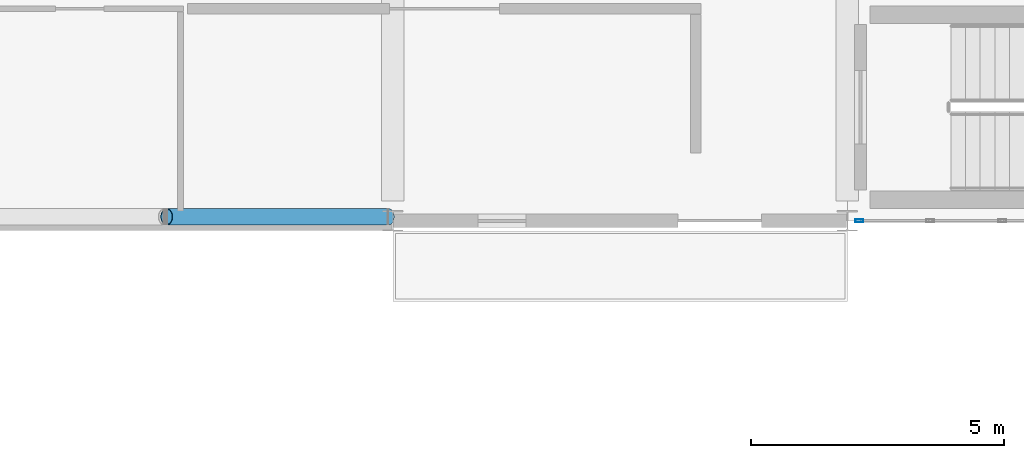
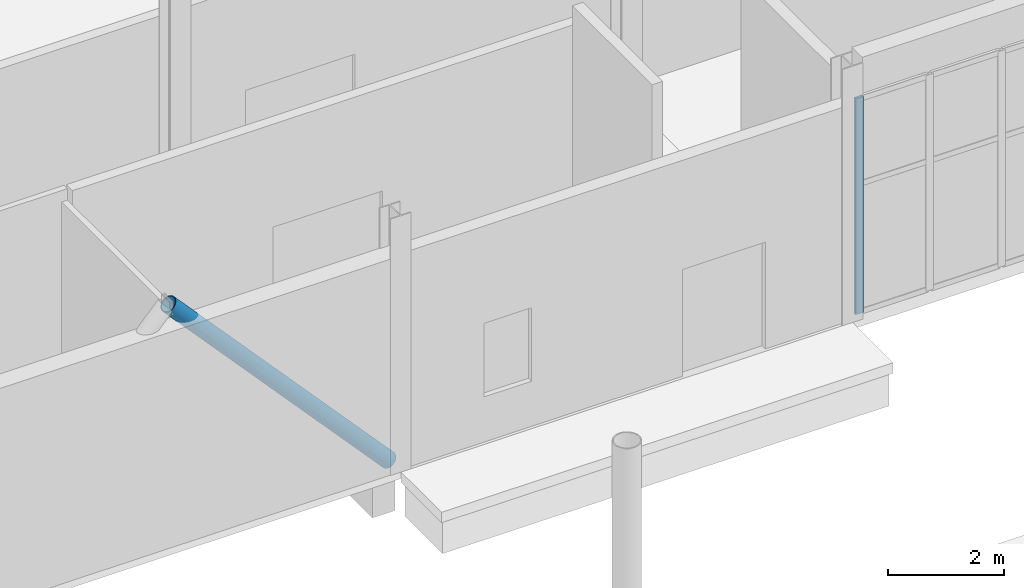
# One storey, part 54 of 95: 2 members, 1 element without a shape of its own.
"""IFC4 building model written with IfcOpenShell, lengths in metres."""

from ifc_helpers import new_model, si_unit, direction, frame, origin, origin_2d, place, context, subcontext, project, spatial, hollow_rectangle, hollow_circle, extrude, material, material_profile, profile_set, type_object, element, aggregate, save


model = new_model("IFC4")

# Units and contexts
model_context = context("Model", 3, precision=1e-05, world=origin(), true_north=direction((0.0, 1.0)))
body_context = subcontext(model_context, "Body", "Model", "MODEL_VIEW")
ifc_project = project(units=[si_unit("LENGTHUNIT", "METRE"), si_unit("AREAUNIT", "SQUARE_METRE"), si_unit("VOLUMEUNIT", "CUBIC_METRE"), si_unit("PLANEANGLEUNIT", "RADIAN"), si_unit("MASSUNIT", "GRAM", prefix="KILO")], contexts=[model_context])

# Site, building, storey
site_placement = place(None, origin())
site = spatial("IfcSite", under=ifc_project, at=site_placement, CompositionType="ELEMENT")
building_placement = place(site_placement, origin())
building = spatial("IfcBuilding", under=site, at=building_placement, Name="Shengluoqiao Park Theatre", CompositionType="ELEMENT")
storey_placement = place(building_placement, origin())
storey = spatial("IfcBuildingStorey", under=building, at=storey_placement, Name="L00", CompositionType="ELEMENT", Elevation=0.0)

# Curtain wall, member
ifc_material_1 = material(Name="Aluminium 6063-T6", Category="aluminium")
curtain_wall_type = type_object("IfcCurtainWallType", Name="ENV-CW-CLERE", PredefinedType="NOTDEFINED", material=ifc_material_1)
curtain_wall_placement = place(storey_placement, origin())
curtain_wall = element("IfcCurtainWall", 1, at=curtain_wall_placement, inside=storey, type_object=curtain_wall_type, Name="L00 Curtain Wall CWX-L00-0167", PredefinedType="NOTDEFINED")
ifc_material_profile_1 = material_profile(ifc_material_1, hollow_rectangle(XDim=0.06005859375, YDim=0.159912109375, WallThickness=0.00390625, InnerFilletRadius=0.00390625, OuterFilletRadius=0.008056640625, at=origin_2d()), Name="ALU MULLION 160x60x4")
ifc_profile_set_1 = profile_set([ifc_material_profile_1], Name="Aluminium 6063-T6")
member_type_1 = type_object("IfcMemberType", Name="ENV-MUL-160", PredefinedType="MULLION", material=ifc_profile_set_1)
member_1_placement = place(storey_placement, frame((139.637939453125, 84.0, 0.0), z_axis=(0.0, 0.0, 1.0), x_axis=(0.0, 1.0, 0.0)))
member_1 = element("IfcMember", 2, at=member_1_placement, type_object=member_type_1, Name="CW-06 mullion 1", PredefinedType="MULLION", context=body_context, shape_type="SweptSolid", body=[
    extrude(hollow_rectangle(XDim=0.06005859375, YDim=0.159912109375, WallThickness=0.00390625, InnerFilletRadius=0.00390625, OuterFilletRadius=0.008056640625, at=origin_2d()), origin(), (0.0, 0.0, 1.0), 4.550048828125),
])
aggregate(curtain_wall, [member_1])

# Member
ifc_material_2 = material(Name="Steel Q355", Category="steel")
ifc_material_profile_2 = material_profile(ifc_material_2, hollow_circle(Radius=0.16259765625, WallThickness=0.013916015625, at=origin_2d()), Name="CHS 325x14")
ifc_profile_set_2 = profile_set([ifc_material_profile_2], Name="Steel Q355")
member_type_2 = type_object("IfcMemberType", Name="STR-MEM-BRC-325", PredefinedType="BRACE", material=ifc_profile_set_2)
member_2_placement = place(storey_placement, frame((130.31005859375, 84.080078125, 0.118408203125), z_axis=(-0.673028753143, 0.0, 0.739616317724), x_axis=(0.0, -1.0, 0.0)))
element("IfcMember", 3, at=member_2_placement, inside=storey, type_object=member_type_2, Name="L00 Chevron Brace 0026", PredefinedType="BRACE", context=body_context, shape_type="SweptSolid", body=[
    extrude(hollow_circle(Radius=0.16259765625, WallThickness=0.013916015625, at=origin_2d()), origin(), (0.0, 0.0, 1.0), 6.51904296875),
])

save(model, "model.ifc")
